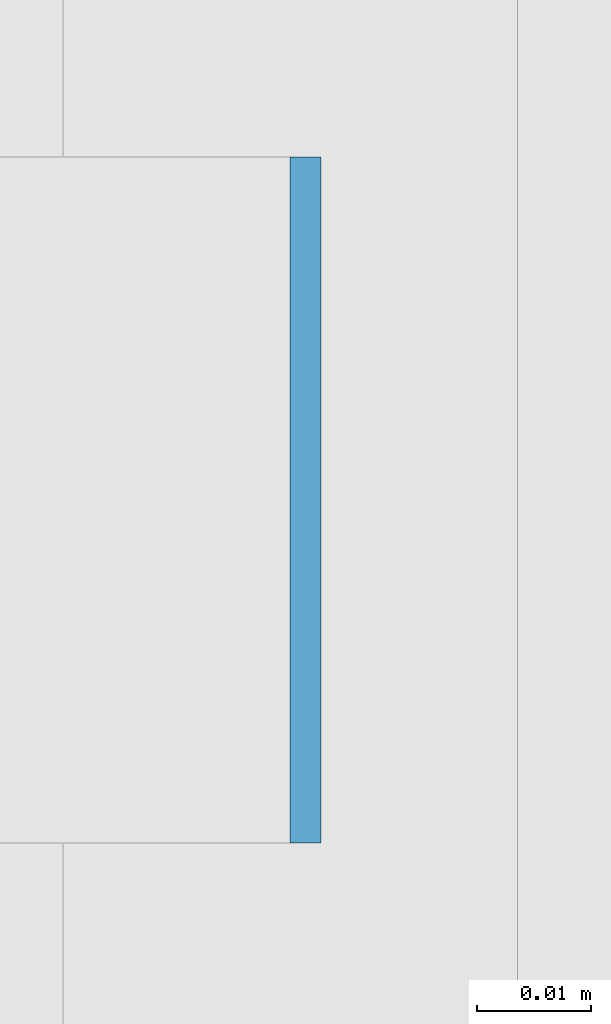
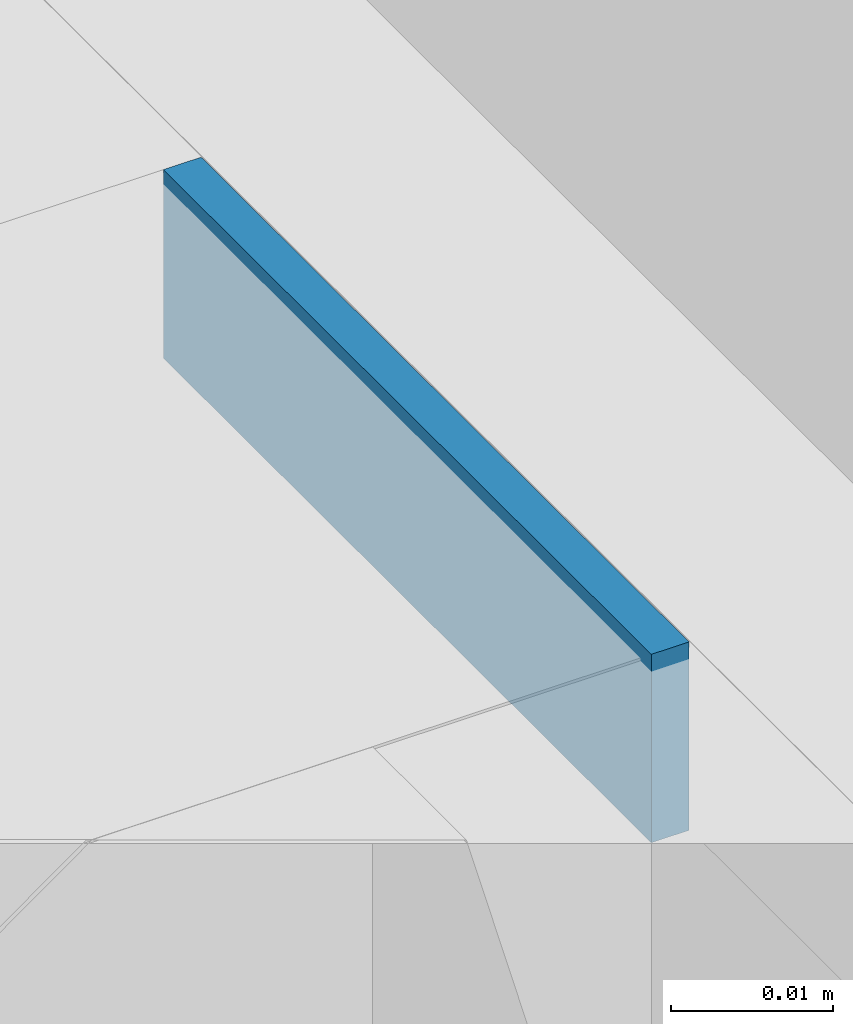
# One storey, part 305 of 646: 1 discrete accessory.
"""IFC4 building model written with IfcOpenShell, lengths in metres."""

from ifc_helpers import new_model, si_unit, direction, frame, origin, origin_2d, place, context, subcontext, project, spatial, rectangle, extrude, material, type_object, element, save


model = new_model("IFC4")

# Units and contexts
model_context = context("Model", 3, precision=1e-05, world=origin(), true_north=direction((0.0, 1.0)))
body_context = subcontext(model_context, "Body", "Model", "MODEL_VIEW")
ifc_project = project(units=[si_unit("LENGTHUNIT", "METRE"), si_unit("AREAUNIT", "SQUARE_METRE"), si_unit("VOLUMEUNIT", "CUBIC_METRE"), si_unit("PLANEANGLEUNIT", "RADIAN"), si_unit("MASSUNIT", "GRAM", prefix="KILO")], contexts=[model_context])

# Site, building, storey
site_placement = place(None, origin())
site = spatial("IfcSite", under=ifc_project, at=site_placement, CompositionType="ELEMENT")
building_placement = place(site_placement, origin())
building = spatial("IfcBuilding", under=site, at=building_placement, Name="Silverbay Arena", CompositionType="ELEMENT")
storey_placement = place(building_placement, frame((0.0, 0.0, 33.5)))
storey = spatial("IfcBuildingStorey", under=building, at=storey_placement, Name="L05", CompositionType="ELEMENT", Elevation=33.5)

# Discrete accessory
ifc_material = material(Name="Steel S355", Category="steel")
discrete_accessory_type = type_object("IfcDiscreteAccessoryType", Name="Steel bracket plate", PredefinedType="BRACKET", material=ifc_material)
discrete_accessory_placement = place(storey_placement, frame((53.871337890625, 65.571533203125, 12.98583984375), z_axis=(0.0, 0.0, 1.0), x_axis=(1.0, 0.0, 0.0)))
element("IfcDiscreteAccessory", 1, at=discrete_accessory_placement, inside=storey, type_object=discrete_accessory_type, Name="Curtain wall packing plate", PredefinedType="BRACKET", context=body_context, shape_type="SweptSolid", body=[
    extrude(rectangle(XDim=0.002685546875, YDim=0.06005859375, at=origin_2d()), origin(), (0.0, 0.0, 1.0), 0.01416015625),
])

save(model, "model.ifc")
